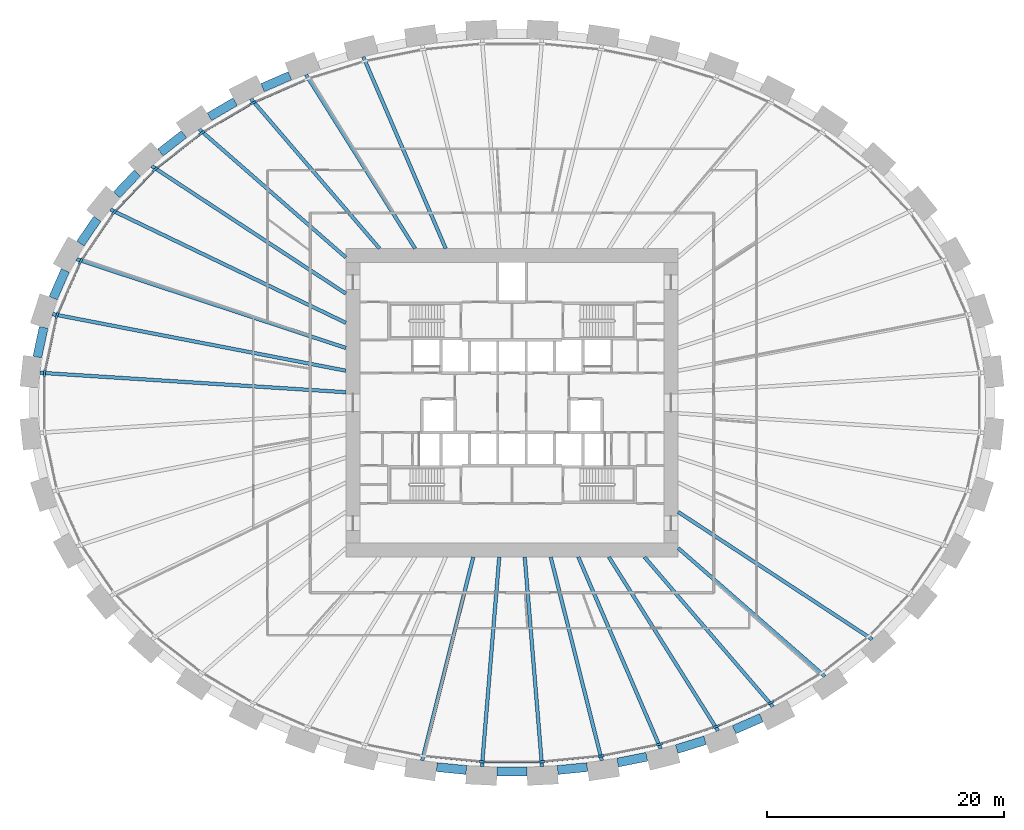
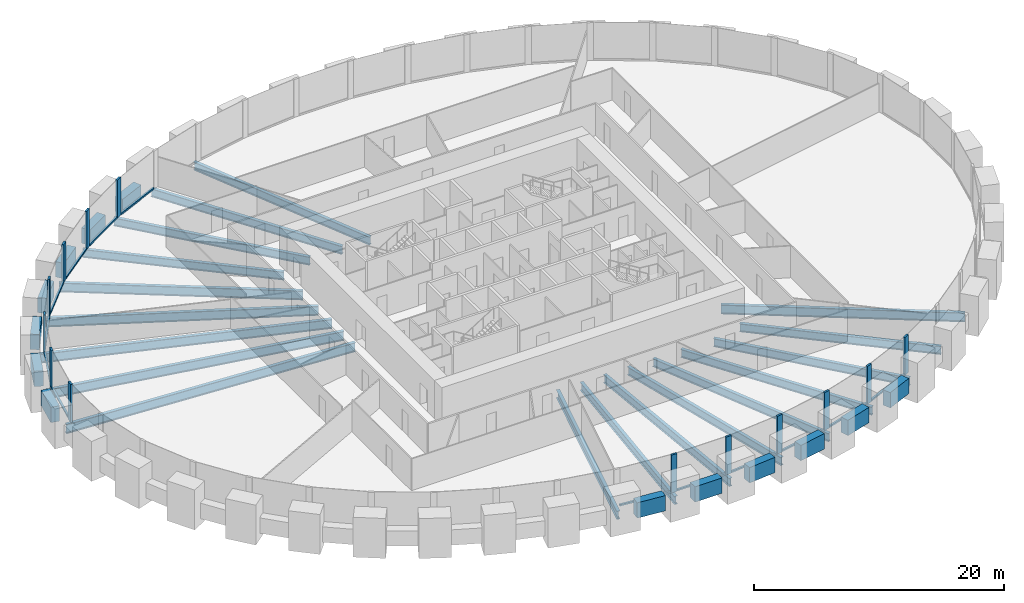
# One storey, part 2 of 11: 31 beams, 26 members, 1 element without a shape of its own.
"""IFC4 building model written with IfcOpenShell, lengths in metres."""

from ifc_helpers import new_model, si_unit, direction, frame, origin, origin_2d, place, context, subcontext, project, spatial, rectangle, i_section, extrude, source, transform, mapped, material, material_profile, profile_set, type_object, element, aggregate, save


model = new_model("IFC4")

# Units and contexts
model_context = context("Model", 3, precision=1e-05, world=origin(), true_north=direction((0.0, 1.0)))
body_context = subcontext(model_context, "Body", "Model", "MODEL_VIEW")
ifc_project = project(units=[si_unit("LENGTHUNIT", "METRE"), si_unit("AREAUNIT", "SQUARE_METRE"), si_unit("VOLUMEUNIT", "CUBIC_METRE"), si_unit("PLANEANGLEUNIT", "RADIAN"), si_unit("MASSUNIT", "GRAM", prefix="KILO")], contexts=[model_context])

# Site, building, storey
site_placement = place(None, origin())
site = spatial("IfcSite", under=ifc_project, at=site_placement, CompositionType="ELEMENT")
building_placement = place(site_placement, origin())
building = spatial("IfcBuilding", under=site, at=building_placement, Name="Embergate Tower", CompositionType="ELEMENT")
storey_placement = place(building_placement, frame((0.0, 0.0, 62.0)))
storey = spatial("IfcBuildingStorey", under=building, at=storey_placement, Name="L11", CompositionType="ELEMENT", Elevation=62.0)

# Beams
ifc_material_1 = material(Name="Concrete C70", Category="concrete")
ifc_material_profile_1 = material_profile(ifc_material_1, rectangle(XDim=0.75, YDim=1.5, at=origin_2d()), Name="RC 750x1500")
ifc_profile_set_1 = profile_set([ifc_material_profile_1], Name="Concrete C70")
beam_type_1 = type_object("IfcBeamType", Name="Spandrel beam RC 750x1500 C70", PredefinedType="BEAM", material=ifc_profile_set_1)
shared_shape_1 = source(origin(), body_context, "Body", "SweptSolid", [
    extrude(rectangle(XDim=0.75, YDim=1.5, at=origin_2d()), origin(), (0.0, 0.0, 1.0), 2.5439453125),
])
beam_1_placement = place(storey_placement, frame((-39.466064453125, 6.344970703125, 0.0), z_axis=(-0.210269633901, -0.977643432474, 0.0), x_axis=(0.977643432474, -0.210269633901, 0.0)))
element("IfcBeam", 1, at=beam_1_placement, inside=storey, type_object=beam_type_1, Name="SPN-L11-20", PredefinedType="BEAM", context=body_context, shape_type="MappedRepresentation", body=[
    mapped(shared_shape_1, transform((0.0, 0.0, 0.0))),
])
shared_shape_2 = source(origin(), body_context, "Body", "SweptSolid", [
    extrude(rectangle(XDim=0.75, YDim=1.5, at=origin_2d()), origin(), (0.0, 0.0, 1.0), 2.540771484375),
])
beam_2_placement = place(storey_placement, frame((-37.64599609375, 11.14599609375, 0.0), z_axis=(-0.401479097778, -0.915868185956, 0.0), x_axis=(0.915868185956, -0.401479097778, 0.0)))
element("IfcBeam", 2, at=beam_2_placement, inside=storey, type_object=beam_type_1, Name="SPN-L11-19", PredefinedType="BEAM", context=body_context, shape_type="MappedRepresentation", body=[
    mapped(shared_shape_2, transform((0.0, 0.0, 0.0))),
])
shared_shape_3 = source(origin(), body_context, "Body", "SweptSolid", [
    extrude(rectangle(XDim=0.75, YDim=1.5, at=origin_2d()), origin(), (0.0, 0.0, 1.0), 2.5302734375),
])
beam_3_placement = place(storey_placement, frame((-34.947021484375, 15.5029296875, 0.0), z_axis=(-0.562447254988, -0.82683316658, 0.0), x_axis=(0.82683316658, -0.562447254988, 0.0)))
element("IfcBeam", 3, at=beam_3_placement, inside=storey, type_object=beam_type_1, Name="SPN-L11-18", PredefinedType="BEAM", context=body_context, shape_type="MappedRepresentation", body=[
    mapped(shared_shape_3, transform((0.0, 0.0, 0.0))),
])
shared_shape_4 = source(origin(), body_context, "Body", "SweptSolid", [
    extrude(rectangle(XDim=0.75, YDim=1.5, at=origin_2d()), origin(), (0.0, 0.0, 1.0), 2.525146484375),
])
beam_4_placement = place(storey_placement, frame((-31.571044921875, 19.35302734375, 0.0), z_axis=(-0.689836216716, -0.723965464719, 0.0), x_axis=(0.723965464719, -0.689836216716, 0.0)))
element("IfcBeam", 4, at=beam_4_placement, inside=storey, type_object=beam_type_1, Name="SPN-L11-17", PredefinedType="BEAM", context=body_context, shape_type="MappedRepresentation", body=[
    mapped(shared_shape_4, transform((0.0, 0.0, 0.0))),
])
shared_shape_5 = source(origin(), body_context, "Body", "SweptSolid", [
    extrude(rectangle(XDim=0.75, YDim=1.5, at=origin_2d()), origin(), (0.0, 0.0, 1.0), 2.51708984375),
])
beam_5_placement = place(storey_placement, frame((-27.64599609375, 22.632080078125, 0.0), z_axis=(-0.788186103863, -0.615436971328, 0.0), x_axis=(0.615436971328, -0.788186103863, 0.0)))
element("IfcBeam", 5, at=beam_5_placement, inside=storey, type_object=beam_type_1, Name="SPN-L11-16", PredefinedType="BEAM", context=body_context, shape_type="MappedRepresentation", body=[
    mapped(shared_shape_5, transform((0.0, 0.0, 0.0))),
])
shared_shape_6 = source(origin(), body_context, "Body", "SweptSolid", [
    extrude(rectangle(XDim=0.75, YDim=1.5, at=origin_2d()), origin(), (0.0, 0.0, 1.0), 2.512451171875),
])
beam_6_placement = place(storey_placement, frame((-23.330078125, 25.366943359375, 0.0), z_axis=(-0.862138987282, -0.506671852986, 0.0), x_axis=(0.506671852986, -0.862138987282, 0.0)))
element("IfcBeam", 6, at=beam_6_placement, inside=storey, type_object=beam_type_1, Name="SPN-L11-15", PredefinedType="BEAM", context=body_context, shape_type="MappedRepresentation", body=[
    mapped(shared_shape_6, transform((0.0, 0.0, 0.0))),
])
shared_shape_7 = source(origin(), body_context, "Body", "SweptSolid", [
    extrude(rectangle(XDim=0.75, YDim=1.5, at=origin_2d()), origin(), (0.0, 0.0, 1.0), 2.508056640625),
])
for number, where, z_axis, x_axis, name in (
    (7, (-18.716064453125, 27.553955078125, 0.0), (-0.916219880472, -0.400675842331, 0.0), (0.400675842331, -0.916219880472, 0.0), "SPN-L11-14"),
    (8, (18.716064453125, -27.553955078125, 0.0), (0.916219880472, 0.400675842331, 0.0), (-0.400675842331, 0.916219880472, 0.0), "SPN-L11-36"),
):
    element("IfcBeam", number, at=place(storey_placement, frame(where, z_axis=z_axis, x_axis=x_axis)), inside=storey, type_object=beam_type_1, Name=name, PredefinedType="BEAM", context=body_context, shape_type="MappedRepresentation", body=[
        mapped(shared_shape_7, transform((0.0, 0.0, 0.0))),
    ])
shared_shape_8 = source(origin(), body_context, "Body", "SweptSolid", [
    extrude(rectangle(XDim=0.75, YDim=1.5, at=origin_2d()), origin(), (0.0, 0.0, 1.0), 2.505126953125),
])
beam_7_placement = place(storey_placement, frame((13.881103515625, -29.18896484375, 0.0), z_axis=(0.95477257779, 0.297337055715, 0.0), x_axis=(-0.297337055715, 0.95477257779, 0.0)))
element("IfcBeam", 9, at=beam_7_placement, inside=storey, type_object=beam_type_1, Name="SPN-L11-35", PredefinedType="BEAM", context=body_context, shape_type="MappedRepresentation", body=[
    mapped(shared_shape_8, transform((0.0, 0.0, 0.0))),
])
shared_shape_9 = source(origin(), body_context, "Body", "SweptSolid", [
    extrude(rectangle(XDim=0.75, YDim=1.5, at=origin_2d()), origin(), (0.0, 0.0, 1.0), 2.5029296875),
])
beam_8_placement = place(storey_placement, frame((8.907958984375, -30.323974609375, 0.0), z_axis=(0.980494293439, 0.196547552853, 0.0), x_axis=(-0.196547552853, 0.980494293439, 0.0)))
element("IfcBeam", 10, at=beam_8_placement, inside=storey, type_object=beam_type_1, Name="SPN-L11-34", PredefinedType="BEAM", context=body_context, shape_type="MappedRepresentation", body=[
    mapped(shared_shape_9, transform((0.0, 0.0, 0.0))),
])
shared_shape_10 = source(origin(), body_context, "Body", "SweptSolid", [
    extrude(rectangle(XDim=0.75, YDim=1.5, at=origin_2d()), origin(), (0.0, 0.0, 1.0), 2.5009765625),
])
for number, where, z_axis, x_axis, name in (
    (11, (-6.3369140625, -30.70703125, 0.0), (0.995195384031, -0.097908873976, 0.0), (0.097908873976, 0.995195384031, 0.0), "SPN-L11-31"),
    (12, (3.847900390625, -30.951904296875, 0.0), (0.995195384031, 0.097908873976, 0.0), (-0.097908873976, 0.995195384031, 0.0), "SPN-L11-33"),
):
    element("IfcBeam", number, at=place(storey_placement, frame(where, z_axis=z_axis, x_axis=x_axis)), inside=storey, type_object=beam_type_1, Name=name, PredefinedType="BEAM", context=body_context, shape_type="MappedRepresentation", body=[
        mapped(shared_shape_10, transform((0.0, 0.0, 0.0))),
    ])
shared_shape_11 = source(origin(), body_context, "Body", "SweptSolid", [
    extrude(rectangle(XDim=0.75, YDim=1.5, at=origin_2d()), origin(), (0.0, 0.0, 1.0), 2.501953125),
])
beam_9_placement = place(storey_placement, frame((-1.2509765625, -31.0791015625, 0.0), z_axis=(1.0, 0.0, 0.0), x_axis=(0.0, 1.0, 0.0)))
element("IfcBeam", 13, at=beam_9_placement, inside=storey, type_object=beam_type_1, Name="SPN-L11-32", PredefinedType="BEAM", context=body_context, shape_type="MappedRepresentation", body=[
    mapped(shared_shape_11, transform((0.0, 0.0, 0.0))),
])
ifc_material_2 = material(Name="Steel Q355B", Category="steel")
ifc_material_profile_2 = material_profile(ifc_material_2, i_section(OverallWidth=0.300048828125, OverallDepth=0.89990234375, WebThickness=0.01611328125, FlangeThickness=0.028076171875, FilletRadius=0.028076171875, at=origin_2d()), Name="HN 900x300x16x28")
ifc_profile_set_2 = profile_set([ifc_material_profile_2], Name="Steel Q355 grade B")
beam_type_2 = type_object("IfcBeamType", Name="Radial girder HN 900x300x16x28", PredefinedType="BEAM", material=ifc_profile_set_2)
shared_shape_12 = source(origin(), body_context, "Body", "SweptSolid", [
    extrude(i_section(OverallWidth=0.300048828125, OverallDepth=0.89990234375, WebThickness=0.01611328125, FlangeThickness=0.028076171875, FilletRadius=0.028076171875, at=origin_2d()), origin(), (0.0, 0.0, 1.0), 25.8330078125),
])
beam_10_placement = place(storey_placement, frame((-39.781005859375, 2.527099609375, -0.64990234375), z_axis=(0.997987282957, -0.063414375786, 0.0), x_axis=(0.063414375786, 0.997987282957, 0.0)))
element("IfcBeam", 14, at=beam_10_placement, inside=storey, type_object=beam_type_2, Name="GIR-L11-21", PredefinedType="BEAM", context=body_context, shape_type="MappedRepresentation", body=[
    mapped(shared_shape_12, transform((0.0, 0.0, 0.0))),
])
shared_shape_13 = source(origin(), body_context, "Body", "SweptSolid", [
    extrude(i_section(OverallWidth=0.300048828125, OverallDepth=0.89990234375, WebThickness=0.01611328125, FlangeThickness=0.028076171875, FilletRadius=0.028076171875, at=origin_2d()), origin(), (0.0, 0.0, 1.0), 25.173583984375),
])
beam_11_placement = place(storey_placement, frame((-38.718017578125, 7.468994140625, -0.64990234375), z_axis=(0.981898721565, -0.189406706822, 0.0), x_axis=(0.189406706822, 0.981898721565, 0.0)))
element("IfcBeam", 15, at=beam_11_placement, inside=storey, type_object=beam_type_2, Name="GIR-L11-20", PredefinedType="BEAM", context=body_context, shape_type="MappedRepresentation", body=[
    mapped(shared_shape_13, transform((0.0, 0.0, 0.0))),
])
shared_shape_14 = source(origin(), body_context, "Body", "SweptSolid", [
    extrude(i_section(OverallWidth=0.300048828125, OverallDepth=0.89990234375, WebThickness=0.01611328125, FlangeThickness=0.028076171875, FilletRadius=0.028076171875, at=origin_2d()), origin(), (0.0, 0.0, 1.0), 23.889404296875),
])
beam_12_placement = place(storey_placement, frame((-36.68701171875, 12.10009765625, -0.64990234375), z_axis=(0.949672981662, -0.313243081171, 0.0), x_axis=(0.313243081171, 0.949672981662, 0.0)))
element("IfcBeam", 16, at=beam_12_placement, inside=storey, type_object=beam_type_2, Name="GIR-L11-19", PredefinedType="BEAM", context=body_context, shape_type="MappedRepresentation", body=[
    mapped(shared_shape_14, transform((0.0, 0.0, 0.0))),
])
shared_shape_15 = source(origin(), body_context, "Body", "SweptSolid", [
    extrude(i_section(OverallWidth=0.300048828125, OverallDepth=0.89990234375, WebThickness=0.01611328125, FlangeThickness=0.028076171875, FilletRadius=0.028076171875, at=origin_2d()), origin(), (0.0, 0.0, 1.0), 22.020751953125),
])
beam_13_placement = place(storey_placement, frame((-33.843994140625, 16.281005859375, -0.64990234375), z_axis=(0.90115457104, -0.433497911291, 0.0), x_axis=(0.433497911291, 0.90115457104, 0.0)))
element("IfcBeam", 17, at=beam_13_placement, inside=storey, type_object=beam_type_2, Name="GIR-L11-18", PredefinedType="BEAM", context=body_context, shape_type="MappedRepresentation", body=[
    mapped(shared_shape_15, transform((0.0, 0.0, 0.0))),
])
shared_shape_16 = source(origin(), body_context, "Body", "SweptSolid", [
    extrude(i_section(OverallWidth=0.300048828125, OverallDepth=0.89990234375, WebThickness=0.01611328125, FlangeThickness=0.028076171875, FilletRadius=0.028076171875, at=origin_2d()), origin(), (0.0, 0.0, 1.0), 19.56591796875),
])
for number, where, z_axis, x_axis, name in (
    (18, (-30.35205078125, 19.94189453125, -0.64990234375), (0.835746219167, -0.549115886812, 0.0), (0.549115886812, 0.835746219167, 0.0), "GIR-L11-17"),
    (19, (30.35205078125, -19.94189453125, -0.64990234375), (-0.835746219167, 0.549115886812, 0.0), (-0.549115886812, -0.835746219167, 0.0), "GIR-L11-39"),
):
    element("IfcBeam", number, at=place(storey_placement, frame(where, z_axis=z_axis, x_axis=x_axis)), inside=storey, type_object=beam_type_2, Name=name, PredefinedType="BEAM", context=body_context, shape_type="MappedRepresentation", body=[
        mapped(shared_shape_16, transform((0.0, 0.0, 0.0))),
    ])
ifc_material_profile_3 = material_profile(ifc_material_2, i_section(OverallWidth=0.300048828125, OverallDepth=0.800048828125, WebThickness=0.013916015625, FlangeThickness=0.02587890625, FilletRadius=0.028076171875, at=origin_2d()), Name="HN 800x300x14x26")
ifc_profile_set_3 = profile_set([ifc_material_profile_3], Name="Steel Q355 grade B")
beam_type_3 = type_object("IfcBeamType", Name="Radial girder HN 800x300x14x26", PredefinedType="BEAM", material=ifc_profile_set_3)
shared_shape_17 = source(origin(), body_context, "Body", "SweptSolid", [
    extrude(i_section(OverallWidth=0.300048828125, OverallDepth=0.800048828125, WebThickness=0.013916015625, FlangeThickness=0.02587890625, FilletRadius=0.028076171875, at=origin_2d()), origin(), (0.0, 0.0, 1.0), 16.424560546875),
])
for number, where, z_axis, x_axis, name in (
    (20, (-26.364013671875, 23.055908203125, -0.60009765625), (0.752772791173, -0.658280430265, 0.0), (0.658280430265, 0.752772791173, 0.0), "GIR-L11-16"),
    (21, (26.364013671875, -23.055908203125, -0.60009765625), (-0.752772791173, 0.658280430265, 0.0), (-0.658280430265, -0.752772791173, 0.0), "GIR-L11-38"),
):
    element("IfcBeam", number, at=place(storey_placement, frame(where, z_axis=z_axis, x_axis=x_axis)), inside=storey, type_object=beam_type_3, Name=name, PredefinedType="BEAM", context=body_context, shape_type="MappedRepresentation", body=[
        mapped(shared_shape_17, transform((0.0, 0.0, 0.0))),
    ])
shared_shape_18 = source(origin(), body_context, "Body", "SweptSolid", [
    extrude(i_section(OverallWidth=0.300048828125, OverallDepth=0.800048828125, WebThickness=0.013916015625, FlangeThickness=0.02587890625, FilletRadius=0.028076171875, at=origin_2d()), origin(), (0.0, 0.0, 1.0), 16.6357421875),
])
for number, where, z_axis, x_axis, name in (
    (22, (-22.0009765625, 25.62109375, -0.60009765625), (0.651477578484, -0.758667888297, 0.0), (0.758667888297, 0.651477578484, 0.0), "GIR-L11-15"),
    (23, (22.0009765625, -25.62109375, -0.60009765625), (-0.651477578484, 0.758667888297, 0.0), (-0.758667888297, -0.651477578484, 0.0), "GIR-L11-37"),
):
    element("IfcBeam", number, at=place(storey_placement, frame(where, z_axis=z_axis, x_axis=x_axis)), inside=storey, type_object=beam_type_3, Name=name, PredefinedType="BEAM", context=body_context, shape_type="MappedRepresentation", body=[
        mapped(shared_shape_18, transform((0.0, 0.0, 0.0))),
    ])
shared_shape_19 = source(origin(), body_context, "Body", "SweptSolid", [
    extrude(i_section(OverallWidth=0.300048828125, OverallDepth=0.800048828125, WebThickness=0.013916015625, FlangeThickness=0.02587890625, FilletRadius=0.028076171875, at=origin_2d()), origin(), (0.0, 0.0, 1.0), 17.29833984375),
])
for number, where, z_axis, x_axis, name in (
    (24, (-17.364013671875, 27.64892578125, -0.60009765625), (0.53184228431, -0.84684342391, 0.0), (0.84684342391, 0.53184228431, 0.0), "GIR-L11-14"),
    (25, (17.364013671875, -27.64892578125, -0.60009765625), (-0.53184228431, 0.84684342391, 0.0), (-0.84684342391, -0.53184228431, 0.0), "GIR-L11-36"),
):
    element("IfcBeam", number, at=place(storey_placement, frame(where, z_axis=z_axis, x_axis=x_axis)), inside=storey, type_object=beam_type_3, Name=name, PredefinedType="BEAM", context=body_context, shape_type="MappedRepresentation", body=[
        mapped(shared_shape_19, transform((0.0, 0.0, 0.0))),
    ])
shared_shape_20 = source(origin(), body_context, "Body", "SweptSolid", [
    extrude(i_section(OverallWidth=0.300048828125, OverallDepth=0.800048828125, WebThickness=0.013916015625, FlangeThickness=0.02587890625, FilletRadius=0.028076171875, at=origin_2d()), origin(), (0.0, 0.0, 1.0), 17.5830078125),
])
for number, where, z_axis, x_axis, name in (
    (26, (-12.531005859375, 29.154052734375, -0.60009765625), (0.394877633305, -0.91873372351, 0.0), (0.91873372351, 0.394877633305, 0.0), "GIR-L11-13"),
    (27, (12.531005859375, -29.154052734375, -0.60009765625), (-0.394877633305, 0.91873372351, 0.0), (-0.91873372351, -0.394877633305, 0.0), "GIR-L11-35"),
):
    element("IfcBeam", number, at=place(storey_placement, frame(where, z_axis=z_axis, x_axis=x_axis)), inside=storey, type_object=beam_type_3, Name=name, PredefinedType="BEAM", context=body_context, shape_type="MappedRepresentation", body=[
        mapped(shared_shape_20, transform((0.0, 0.0, 0.0))),
    ])
shared_shape_21 = source(origin(), body_context, "Body", "SweptSolid", [
    extrude(i_section(OverallWidth=0.300048828125, OverallDepth=0.800048828125, WebThickness=0.013916015625, FlangeThickness=0.02587890625, FilletRadius=0.028076171875, at=origin_2d()), origin(), (0.0, 0.0, 1.0), 17.68115234375),
])
for number, where, z_axis, x_axis, name in (
    (28, (-7.568115234375, -30.14892578125, -0.60009765625), (0.243490697854, 0.969903232317, 0.0), (-0.969903232317, 0.243490697854, 0.0), "GIR-L11-31"),
    (29, (7.568115234375, -30.14892578125, -0.60009765625), (-0.243490697854, 0.969903232317, 0.0), (-0.969903232317, -0.243490697854, 0.0), "GIR-L11-34"),
):
    element("IfcBeam", number, at=place(storey_placement, frame(where, z_axis=z_axis, x_axis=x_axis)), inside=storey, type_object=beam_type_3, Name=name, PredefinedType="BEAM", context=body_context, shape_type="MappedRepresentation", body=[
        mapped(shared_shape_21, transform((0.0, 0.0, 0.0))),
    ])
shared_shape_22 = source(origin(), body_context, "Body", "SweptSolid", [
    extrude(i_section(OverallWidth=0.300048828125, OverallDepth=0.800048828125, WebThickness=0.013916015625, FlangeThickness=0.02587890625, FilletRadius=0.028076171875, at=origin_2d()), origin(), (0.0, 0.0, 1.0), 17.7041015625),
])
for number, where, z_axis, x_axis, name in (
    (30, (-2.531005859375, -30.64404296875, -0.60009765625), (0.082299081422, 0.99660767667, 0.0), (-0.99660767667, 0.082299081422, 0.0), "GIR-L11-32"),
    (31, (2.531005859375, -30.64404296875, -0.60009765625), (-0.082299081422, 0.99660767667, 0.0), (-0.99660767667, -0.082299081422, 0.0), "GIR-L11-33"),
):
    element("IfcBeam", number, at=place(storey_placement, frame(where, z_axis=z_axis, x_axis=x_axis)), inside=storey, type_object=beam_type_3, Name=name, PredefinedType="BEAM", context=body_context, shape_type="MappedRepresentation", body=[
        mapped(shared_shape_22, transform((0.0, 0.0, 0.0))),
    ])

# Curtain wall, members
ifc_material_3 = material(Name="Aluminium and glass", Category="aluminium")
curtain_wall_type = type_object("IfcCurtainWallType", Name="Recessed office glazing", PredefinedType="NOTDEFINED", material=ifc_material_3)
curtain_wall_placement = place(storey_placement, origin())
curtain_wall = element("IfcCurtainWall", 32, at=curtain_wall_placement, inside=storey, type_object=curtain_wall_type, Name="Recessed office glazing ring", ObjectType="RECESSED OFFICE GLAZING", PredefinedType="USERDEFINED")
ifc_material_4 = material(Name="Aluminium, thermally broken", Category="aluminium")
ifc_material_profile_4 = material_profile(ifc_material_4, rectangle(XDim=0.179931640625, YDim=0.52001953125, at=origin_2d()), Name="AL 520x180")
ifc_profile_set_4 = profile_set([ifc_material_profile_4], Name="Aluminium, thermally broken")
member_type_1 = type_object("IfcMemberType", Name="Office mullion", PredefinedType="MULLION", material=ifc_profile_set_4)
shared_shape_23 = source(origin(), body_context, "Body", "SweptSolid", [
    extrude(rectangle(XDim=0.179931640625, YDim=0.52001953125, at=origin_2d()), origin(), (0.0, 0.0, 1.0), 3.699951171875),
])
member_1_placement = place(storey_placement, frame((-21.824462890625, 25.273193359375, 0.0), z_axis=(0.0, 0.0, 1.0), x_axis=(0.454520708319, -0.890736170653, 0.0)))
member_1 = element("IfcMember", 33, at=member_1_placement, type_object=member_type_1, Name="CW mullion 16", PredefinedType="MULLION", context=body_context, shape_type="MappedRepresentation", body=[
    mapped(shared_shape_23, transform((0.0, 0.0, 0.0))),
])
member_2_placement = place(storey_placement, frame((-26.14501953125, 22.73291015625, 0.0), z_axis=(0.0, 0.0, 1.0), x_axis=(0.562229165438, -0.826981478348, 0.0)))
member_2 = element("IfcMember", 34, at=member_2_placement, type_object=member_type_1, Name="CW mullion 17", PredefinedType="MULLION", context=body_context, shape_type="MappedRepresentation", body=[
    mapped(shared_shape_23, transform((0.0, 0.0, 0.0))),
])
member_3_placement = place(storey_placement, frame((-30.09130859375, 19.65283203125, 0.0), z_axis=(0.0, 0.0, 1.0), x_axis=(0.671239471147, -0.741240563093, 0.0)))
member_3 = element("IfcMember", 35, at=member_3_placement, type_object=member_type_1, Name="CW mullion 18", PredefinedType="MULLION", context=body_context, shape_type="MappedRepresentation", body=[
    mapped(shared_shape_23, transform((0.0, 0.0, 0.0))),
])
member_4_placement = place(storey_placement, frame((-33.541015625, 16.035400390625, 0.0), z_axis=(0.0, 0.0, 1.0), x_axis=(0.777883532271, -0.628408474022, 0.0)))
member_4 = element("IfcMember", 36, at=member_4_placement, type_object=member_type_1, Name="CW mullion 19", PredefinedType="MULLION", context=body_context, shape_type="MappedRepresentation", body=[
    mapped(shared_shape_23, transform((0.0, 0.0, 0.0))),
])
member_5_placement = place(storey_placement, frame((-36.3466796875, 11.909423828125, 0.0), z_axis=(0.0, 0.0, 1.0), x_axis=(0.875010345178, -0.48410422001, 0.0)))
member_5 = element("IfcMember", 37, at=member_5_placement, type_object=member_type_1, Name="CW mullion 20", PredefinedType="MULLION", context=body_context, shape_type="MappedRepresentation", body=[
    mapped(shared_shape_23, transform((0.0, 0.0, 0.0))),
])
member_6_placement = place(storey_placement, frame((-38.347412109375, 7.347900390625, 0.0), z_axis=(0.0, 0.0, 1.0), x_axis=(0.951502093582, -0.307642269381, 0.0)))
member_6 = element("IfcMember", 38, at=member_6_placement, type_object=member_type_1, Name="CW mullion 21", PredefinedType="MULLION", context=body_context, shape_type="MappedRepresentation", body=[
    mapped(shared_shape_23, transform((0.0, 0.0, 0.0))),
])
member_7_placement = place(storey_placement, frame((-39.393798828125, 2.485595703125, 0.0), z_axis=(0.0, 0.0, 1.0), x_axis=(0.994385508811, -0.105818050756, 0.0)))
member_7 = element("IfcMember", 39, at=member_7_placement, type_object=member_type_1, Name="CW mullion 22", PredefinedType="MULLION", context=body_context, shape_type="MappedRepresentation", body=[
    mapped(shared_shape_23, transform((0.0, 0.0, 0.0))),
])
member_8_placement = place(storey_placement, frame((-2.511962890625, -30.254638671875, 0.0), z_axis=(0.0, 0.0, 1.0), x_axis=(0.048971796621, 0.998800161762, 0.0)))
member_8 = element("IfcMember", 40, at=member_8_placement, type_object=member_type_1, Name="CW mullion 33", PredefinedType="MULLION", context=body_context, shape_type="MappedRepresentation", body=[
    mapped(shared_shape_23, transform((0.0, 0.0, 0.0))),
])
member_9_placement = place(storey_placement, frame((2.511962890625, -30.254638671875, 0.0), z_axis=(0.0, 0.0, 1.0), x_axis=(-0.048971796621, 0.998800161762, 0.0)))
member_9 = element("IfcMember", 41, at=member_9_placement, type_object=member_type_1, Name="CW mullion 34", PredefinedType="MULLION", context=body_context, shape_type="MappedRepresentation", body=[
    mapped(shared_shape_23, transform((0.0, 0.0, 0.0))),
])
member_10_placement = place(storey_placement, frame((7.51123046875, -29.76318359375, 0.0), z_axis=(0.0, 0.0, 1.0), x_axis=(-0.147415835341, 0.989074603602, 0.0)))
member_10 = element("IfcMember", 42, at=member_10_placement, type_object=member_type_1, Name="CW mullion 35", PredefinedType="MULLION", context=body_context, shape_type="MappedRepresentation", body=[
    mapped(shared_shape_23, transform((0.0, 0.0, 0.0))),
])
member_11_placement = place(storey_placement, frame((12.435302734375, -28.775634765625, 0.0), z_axis=(0.0, 0.0, 1.0), x_axis=(-0.247318645812, 0.968934201808, 0.0)))
member_11 = element("IfcMember", 43, at=member_11_placement, type_object=member_type_1, Name="CW mullion 36", PredefinedType="MULLION", context=body_context, shape_type="MappedRepresentation", body=[
    mapped(shared_shape_23, transform((0.0, 0.0, 0.0))),
])
member_12_placement = place(storey_placement, frame((17.22802734375, -27.282958984375, 0.0), z_axis=(0.0, 0.0, 1.0), x_axis=(-0.349510859141, 0.936932313106, 0.0)))
member_12 = element("IfcMember", 44, at=member_12_placement, type_object=member_type_1, Name="CW mullion 37", PredefinedType="MULLION", context=body_context, shape_type="MappedRepresentation", body=[
    mapped(shared_shape_23, transform((0.0, 0.0, 0.0))),
])
member_13_placement = place(storey_placement, frame((21.824462890625, -25.273193359375, 0.0), z_axis=(0.0, 0.0, 1.0), x_axis=(-0.454520708319, 0.890736170653, 0.0)))
member_13 = element("IfcMember", 45, at=member_13_placement, type_object=member_type_1, Name="CW mullion 38", PredefinedType="MULLION", context=body_context, shape_type="MappedRepresentation", body=[
    mapped(shared_shape_23, transform((0.0, 0.0, 0.0))),
])
ifc_material_profile_5 = material_profile(ifc_material_4, rectangle(XDim=0.179931640625, YDim=0.14990234375, at=origin_2d()), Name="AL 150x180")
ifc_profile_set_5 = profile_set([ifc_material_profile_5], Name="Aluminium, thermally broken")
member_type_2 = type_object("IfcMemberType", Name="Office sill transom", PredefinedType="USERDEFINED", material=ifc_profile_set_5)
shared_shape_24 = source(origin(), body_context, "Body", "SweptSolid", [
    extrude(rectangle(XDim=0.179931640625, YDim=0.14990234375, at=origin_2d()), origin(), (0.0, 0.0, 1.0), 4.45361328125),
])
member_14_placement = place(storey_placement, frame((-38.402099609375, 7.09375, 0.074951171875), z_axis=(-0.210390045313, -0.977617526865, 0.0), x_axis=(0.977617526865, -0.210390045313, 0.0)))
member_14 = element("IfcMember", 46, at=member_14_placement, type_object=member_type_2, Name="CW transom 21.1", ObjectType="TRANSOM", PredefinedType="USERDEFINED", context=body_context, shape_type="MappedRepresentation", body=[
    mapped(shared_shape_24, transform((0.0, 0.0, 0.0))),
])
shared_shape_25 = source(origin(), body_context, "Body", "SweptSolid", [
    extrude(rectangle(XDim=0.179931640625, YDim=0.14990234375, at=origin_2d()), origin(), (0.0, 0.0, 1.0), 4.460693359375),
])
member_15_placement = place(storey_placement, frame((-36.451416015625, 11.67138671875, 0.074951171875), z_axis=(-0.401613983085, -0.915809045921, 0.0), x_axis=(0.915809045921, -0.401613983085, 0.0)))
member_15 = element("IfcMember", 47, at=member_15_placement, type_object=member_type_2, Name="CW transom 20.1", ObjectType="TRANSOM", PredefinedType="USERDEFINED", context=body_context, shape_type="MappedRepresentation", body=[
    mapped(shared_shape_25, transform((0.0, 0.0, 0.0))),
])
shared_shape_26 = source(origin(), body_context, "Body", "SweptSolid", [
    extrude(rectangle(XDim=0.179931640625, YDim=0.14990234375, at=origin_2d()), origin(), (0.0, 0.0, 1.0), 4.4697265625),
])
member_16_placement = place(storey_placement, frame((-33.687255859375, 15.820556640625, 0.074951171875), z_axis=(-0.562327949545, -0.826914310652, 0.0), x_axis=(0.826914310652, -0.562327949545, 0.0)))
member_16 = element("IfcMember", 48, at=member_16_placement, type_object=member_type_2, Name="CW transom 19.1", ObjectType="TRANSOM", PredefinedType="USERDEFINED", context=body_context, shape_type="MappedRepresentation", body=[
    mapped(shared_shape_26, transform((0.0, 0.0, 0.0))),
])
shared_shape_27 = source(origin(), body_context, "Body", "SweptSolid", [
    extrude(rectangle(XDim=0.179931640625, YDim=0.14990234375, at=origin_2d()), origin(), (0.0, 0.0, 1.0), 4.478515625),
])
member_17_placement = place(storey_placement, frame((-30.270751953125, 19.464599609375, 0.074951171875), z_axis=(-0.690145055563, -0.723671059447, 0.0), x_axis=(0.723671059447, -0.690145055563, 0.0)))
member_17 = element("IfcMember", 49, at=member_17_placement, type_object=member_type_2, Name="CW transom 18.1", ObjectType="TRANSOM", PredefinedType="USERDEFINED", context=body_context, shape_type="MappedRepresentation", body=[
    mapped(shared_shape_27, transform((0.0, 0.0, 0.0))),
])
shared_shape_28 = source(origin(), body_context, "Body", "SweptSolid", [
    extrude(rectangle(XDim=0.179931640625, YDim=0.14990234375, at=origin_2d()), origin(), (0.0, 0.0, 1.0), 4.486083984375),
])
member_18_placement = place(storey_placement, frame((-26.35009765625, 22.572998046875, 0.074951171875), z_axis=(-0.78829904423, -0.615292301972, 0.0), x_axis=(0.615292301972, -0.78829904423, 0.0)))
member_18 = element("IfcMember", 50, at=member_18_placement, type_object=member_type_2, Name="CW transom 17.1", ObjectType="TRANSOM", PredefinedType="USERDEFINED", context=body_context, shape_type="MappedRepresentation", body=[
    mapped(shared_shape_28, transform((0.0, 0.0, 0.0))),
])
shared_shape_29 = source(origin(), body_context, "Body", "SweptSolid", [
    extrude(rectangle(XDim=0.179931640625, YDim=0.14990234375, at=origin_2d()), origin(), (0.0, 0.0, 1.0), 4.491943359375),
])
member_19_placement = place(storey_placement, frame((-22.048583984375, 25.141357421875, 0.074951171875), z_axis=(-0.8620529522, -0.506818219486, 0.0), x_axis=(0.506818219486, -0.8620529522, 0.0)))
member_19 = element("IfcMember", 51, at=member_19_placement, type_object=member_type_2, Name="CW transom 16.1", ObjectType="TRANSOM", PredefinedType="USERDEFINED", context=body_context, shape_type="MappedRepresentation", body=[
    mapped(shared_shape_29, transform((0.0, 0.0, 0.0))),
])
shared_shape_30 = source(origin(), body_context, "Body", "SweptSolid", [
    extrude(rectangle(XDim=0.179931640625, YDim=0.14990234375, at=origin_2d()), origin(), (0.0, 0.0, 1.0), 4.49658203125),
])
member_20_placement = place(storey_placement, frame((-17.46630859375, 27.178955078125, 0.074951171875), z_axis=(-0.9162134002, -0.400690660354, 0.0), x_axis=(0.400690660354, -0.9162134002, 0.0)))
member_20 = element("IfcMember", 52, at=member_20_placement, type_object=member_type_2, Name="CW transom 15.1", ObjectType="TRANSOM", PredefinedType="USERDEFINED", context=body_context, shape_type="MappedRepresentation", body=[
    mapped(shared_shape_30, transform((0.0, 0.0, 0.0))),
])
member_21_placement = place(storey_placement, frame((17.46630859375, -27.178955078125, 0.074951171875), z_axis=(0.9162134002, 0.400690660354, 0.0), x_axis=(-0.400690660354, 0.9162134002, 0.0)))
member_21 = element("IfcMember", 53, at=member_21_placement, type_object=member_type_2, Name="CW transom 37.1", ObjectType="TRANSOM", PredefinedType="USERDEFINED", context=body_context, shape_type="MappedRepresentation", body=[
    mapped(shared_shape_30, transform((0.0, 0.0, 0.0))),
])
shared_shape_31 = source(origin(), body_context, "Body", "SweptSolid", [
    extrude(rectangle(XDim=0.179931640625, YDim=0.14990234375, at=origin_2d()), origin(), (0.0, 0.0, 1.0), 4.5),
])
member_22_placement = place(storey_placement, frame((12.68359375, -28.698486328125, 0.074951171875), z_axis=(0.954763366225, 0.297366633156, 0.0), x_axis=(-0.297366633156, 0.954763366225, 0.0)))
member_22 = element("IfcMember", 54, at=member_22_placement, type_object=member_type_2, Name="CW transom 36.1", ObjectType="TRANSOM", PredefinedType="USERDEFINED", context=body_context, shape_type="MappedRepresentation", body=[
    mapped(shared_shape_31, transform((0.0, 0.0, 0.0))),
])
shared_shape_32 = source(origin(), body_context, "Body", "SweptSolid", [
    extrude(rectangle(XDim=0.179931640625, YDim=0.14990234375, at=origin_2d()), origin(), (0.0, 0.0, 1.0), 4.502197265625),
])
member_23_placement = place(storey_placement, frame((7.76611328125, -29.712158203125, 0.074951171875), z_axis=(0.980478345518, 0.196627093681, 0.0), x_axis=(-0.196627093681, 0.980478345518, 0.0)))
member_23 = element("IfcMember", 55, at=member_23_placement, type_object=member_type_2, Name="CW transom 35.1", ObjectType="TRANSOM", PredefinedType="USERDEFINED", context=body_context, shape_type="MappedRepresentation", body=[
    mapped(shared_shape_32, transform((0.0, 0.0, 0.0))),
])
shared_shape_33 = source(origin(), body_context, "Body", "SweptSolid", [
    extrude(rectangle(XDim=0.179931640625, YDim=0.14990234375, at=origin_2d()), origin(), (0.0, 0.0, 1.0), 4.503173828125),
])
member_24_placement = place(storey_placement, frame((-7.25244140625, -29.788818359375, 0.074951171875), z_axis=(0.995205892048, -0.097802006279, 0.0), x_axis=(0.097802006279, 0.995205892048, 0.0)))
member_24 = element("IfcMember", 56, at=member_24_placement, type_object=member_type_2, Name="CW transom 32.1", ObjectType="TRANSOM", PredefinedType="USERDEFINED", context=body_context, shape_type="MappedRepresentation", body=[
    mapped(shared_shape_33, transform((0.0, 0.0, 0.0))),
])
member_25_placement = place(storey_placement, frame((2.770751953125, -30.229248046875, 0.074951171875), z_axis=(0.995205892048, 0.097802006279, 0.0), x_axis=(-0.097802006279, 0.995205892048, 0.0)))
member_25 = element("IfcMember", 57, at=member_25_placement, type_object=member_type_2, Name="CW transom 34.1", ObjectType="TRANSOM", PredefinedType="USERDEFINED", context=body_context, shape_type="MappedRepresentation", body=[
    mapped(shared_shape_33, transform((0.0, 0.0, 0.0))),
])
shared_shape_34 = source(origin(), body_context, "Body", "SweptSolid", [
    extrude(rectangle(XDim=0.179931640625, YDim=0.14990234375, at=origin_2d()), origin(), (0.0, 0.0, 1.0), 4.50390625),
])
member_26_placement = place(storey_placement, frame((-2.251953125, -30.254638671875, 0.074951171875), z_axis=(1.0, 0.0, 0.0), x_axis=(0.0, 1.0, 0.0)))
member_26 = element("IfcMember", 58, at=member_26_placement, type_object=member_type_2, Name="CW transom 33.1", ObjectType="TRANSOM", PredefinedType="USERDEFINED", context=body_context, shape_type="MappedRepresentation", body=[
    mapped(shared_shape_34, transform((0.0, 0.0, 0.0))),
])
aggregate(curtain_wall, [member_1, member_2, member_3, member_4, member_5, member_6, member_7, member_8, member_9, member_10, member_11, member_12, member_13, member_20, member_19, member_18, member_17, member_16, member_15, member_14, member_24, member_26, member_25, member_23, member_22, member_21])

save(model, "model.ifc")
